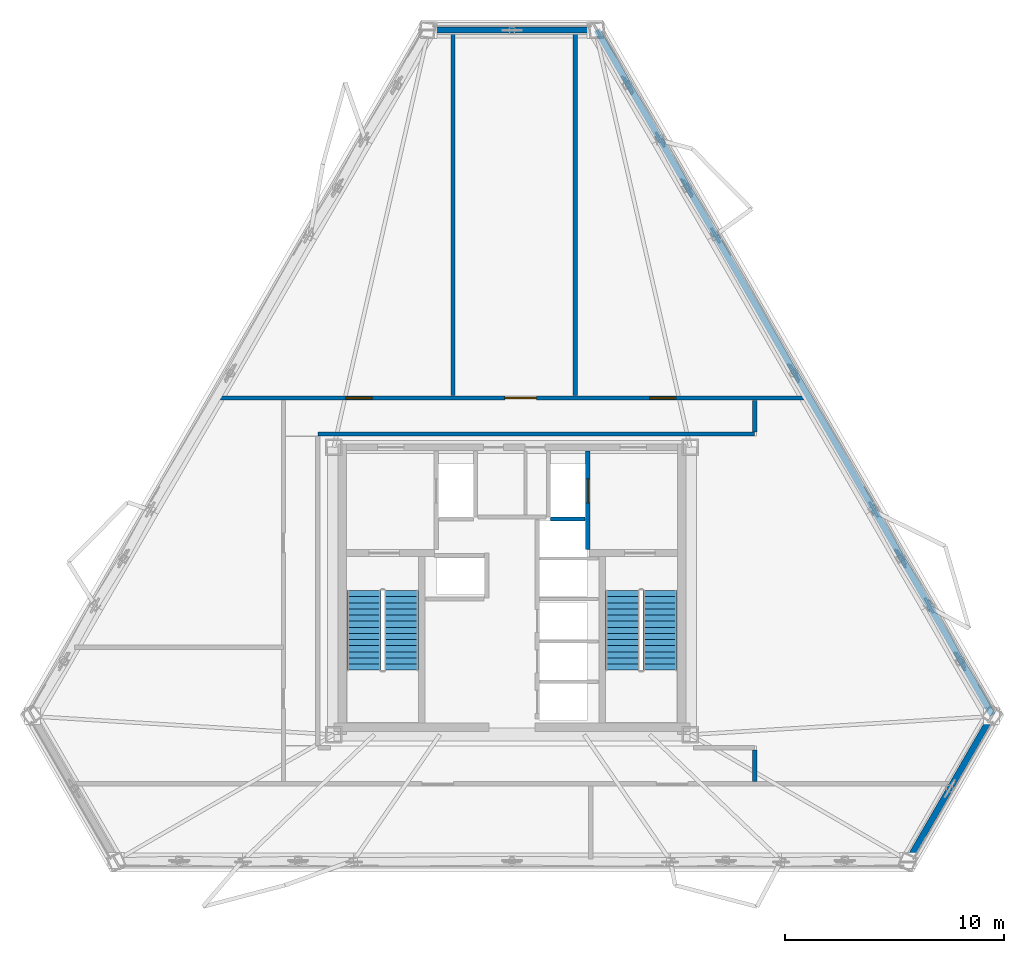
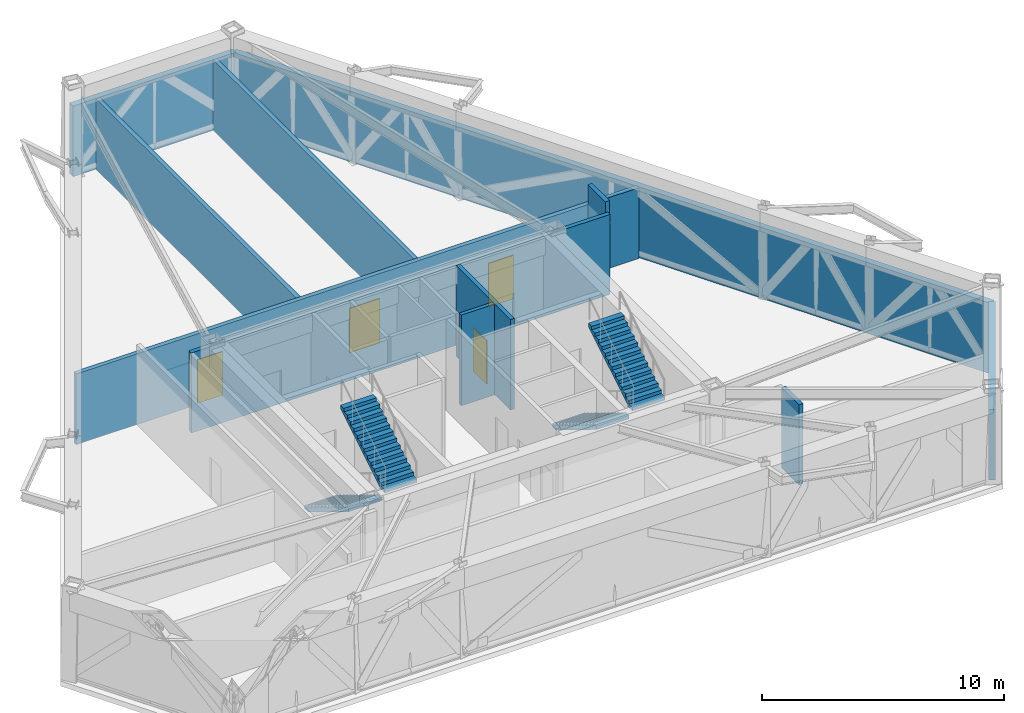
# One storey, part 7 of 10: 11 walls, 4 doors, 4 stair flights, 4 openings, 2 elements without a shape of their own.
"""IFC4 building model written with IfcOpenShell, lengths in metres."""

from ifc_helpers import new_model, si_unit, direction, frame, frame_2d, origin, place, context, subcontext, project, spatial, polyline, rectangle, outline, extrude, material, layer, layer_set, type_object, element, fill, aggregate, save


model = new_model("IFC4")

# Units and contexts
model_context = context("Model", 3, precision=1e-05, world=origin(), true_north=direction((0.0, 1.0)))
body_context = subcontext(model_context, "Body", "Model", "MODEL_VIEW")
ifc_project = project(units=[si_unit("LENGTHUNIT", "METRE"), si_unit("AREAUNIT", "SQUARE_METRE"), si_unit("VOLUMEUNIT", "CUBIC_METRE"), si_unit("PLANEANGLEUNIT", "RADIAN"), si_unit("MASSUNIT", "GRAM", prefix="KILO")], contexts=[model_context])

# Site, building, storey
site_placement = place(None, origin())
site = spatial("IfcSite", under=ifc_project, at=site_placement, CompositionType="ELEMENT")
building_placement = place(site_placement, origin())
building = spatial("IfcBuilding", under=site, at=building_placement, Name="Oramaril Tower", CompositionType="ELEMENT")
storey_placement = place(building_placement, frame((0.0, 0.0, 189.0)))
storey = spatial("IfcBuildingStorey", under=building, at=storey_placement, Name="L50", CompositionType="ELEMENT", Elevation=189.0)

# Walls
ifc_material_1 = material(Name="Warm Cream Limestone", Category="masonry")
ifc_layer_1 = layer(ifc_material_1, 0.2900390625)
ifc_layer_set_1 = layer_set([ifc_layer_1], Name="WT-EXT29")
wall_type_1 = type_object("IfcWallType", Name="WT-EXT29", PredefinedType="SOLIDWALL", material=ifc_layer_set_1)
wall_1_placement = place(storey_placement, frame((55.58740234375, 5.17138671875, 0.0), z_axis=(0.0, 0.0, 1.0), x_axis=(0.50001529993, 0.866016570186, 0.0)))
element("IfcWall", 1, at=wall_1_placement, inside=storey, type_object=wall_type_1, Name="L50 Tower Limestone Facade Wall 3M", PredefinedType="SOLIDWALL", context=body_context, shape_type="SweptSolid", body=[
    extrude(rectangle(XDim=7.769775390625, YDim=0.2900390625, at=frame_2d((3.884765625, 0.0))), origin(), (0.0, 0.0, 1.0), 3.570068359375),
])
wall_2_placement = place(storey_placement, frame((59.472412109375, 11.900146484375, 0.0), z_axis=(0.0, 0.0, 1.0), x_axis=(-0.500004232085, 0.866022960375, 0.0)))
element("IfcWall", 2, at=wall_2_placement, inside=storey, type_object=wall_type_1, Name="L50 Tower Limestone Facade Wall 4M", PredefinedType="SOLIDWALL", context=body_context, shape_type="SweptSolid", body=[
    extrude(rectangle(XDim=36.175048828125, YDim=0.2900390625, at=frame_2d((18.08740234375, 0.0))), origin(), (0.0, 0.0, 1.0), 3.570068359375),
])
wall_3_placement = place(storey_placement, frame((41.384765625, 43.228515625, 0.0), z_axis=(0.0, 0.0, 1.0), x_axis=(-1.0, 0.0, 0.0)))
element("IfcWall", 3, at=wall_3_placement, inside=storey, type_object=wall_type_1, Name="L50 Tower Limestone Facade Wall 5M", PredefinedType="SOLIDWALL", context=body_context, shape_type="SweptSolid", body=[
    extrude(rectangle(XDim=7.76953125, YDim=0.2900390625, at=frame_2d((3.884765625, 0.0))), origin(), (0.0, 0.0, 1.0), 3.570068359375),
])
ifc_material_2 = material(Name="Autoclaved Cellular Concrete Block", Category="concrete")
ifc_layer_2 = layer(ifc_material_2, 0.179931640625)
ifc_layer_set_2 = layer_set([ifc_layer_2], Name="WT-PT18")
wall_type_2 = type_object("IfcWallType", Name="WT-PT18", PredefinedType="PARTITIONING", material=ifc_layer_set_2)
wall_4_placement = place(storey_placement, frame((39.260009765625, 20.860107421875, 0.0), z_axis=(0.0, 0.0, 1.0), x_axis=(1.0, 0.0, 0.0)))
element("IfcWall", 4, at=wall_4_placement, inside=storey, type_object=wall_type_2, Name="L50 FL-2 South Shaft Wall", PredefinedType="PARTITIONING", context=body_context, shape_type="SweptSolid", body=[
    extrude(rectangle(XDim=1.580078125, YDim=0.179931640625, at=frame_2d((0.7900390625, 0.0))), origin(), (0.0, 0.0, 1.0), 4.580078125),
])
ifc_material_3 = material(Name="Autoclaved Cellular Concrete Block", Category="concrete")
ifc_layer_3 = layer(ifc_material_3, 0.199951171875)
ifc_layer_set_3 = layer_set([ifc_layer_3], Name="WT-PT20")
wall_type_3 = type_object("IfcWallType", Name="WT-PT20", PredefinedType="PARTITIONING", material=ifc_layer_set_3)
wall_5_placement = place(storey_placement, frame((28.6201171875, 24.75, 0.0), z_axis=(0.0, 0.0, 1.0), x_axis=(1.0, 0.0, 0.0)))
element("IfcWall", 5, at=wall_5_placement, inside=storey, type_object=wall_type_3, Name="L50 Interior Partition PT-20", PredefinedType="PARTITIONING", context=body_context, shape_type="SweptSolid", body=[
    extrude(rectangle(XDim=19.97998046875, YDim=0.199951171875, at=frame_2d((9.989990234375, 0.0))), origin(), (0.0, 0.0, 1.0), 4.0419921875),
])

# Wall, openings, doors
wall_6_placement = place(storey_placement, frame((24.0712890625, 26.39990234375, 0.0), z_axis=(0.0, 0.0, 1.0), x_axis=(1.0, 0.0, 0.0)))
wall_6 = element("IfcWall", 6, at=wall_6_placement, inside=storey, type_object=wall_type_3, Name="L50 Interior Partition PT-20", PredefinedType="PARTITIONING", context=body_context, shape_type="SweptSolid", body=[
    extrude(rectangle(XDim=26.857421875, YDim=0.199951171875, at=frame_2d((13.4287109375, 0.0))), origin(), (0.0, 0.0, 1.0), 3.570068359375),
])
opening_1_placement = place(wall_6_placement, frame((5.8349609375, 0.0, 0.0)))
opening_1 = element("IfcOpeningElement", 7, at=opening_1_placement, cuts=wall_6, Name="Opening D-L50-03", PredefinedType="OPENING", context=body_context, shape_type="SweptSolid", body=[
    extrude(rectangle(XDim=1.199951171875, YDim=2.199951171875, at=frame_2d((0.60009765625, 1.10009765625))), frame((0.0, 0.10009765625, 0.0), z_axis=(0.0, -1.0, 0.0), x_axis=(1.0, 0.0, 0.0)), (0.0, 0.0, 1.0), 0.199951171875),
])
opening_2_placement = place(wall_6_placement, frame((13.0986328125, 0.0, 0.0)))
opening_2 = element("IfcOpeningElement", 8, at=opening_2_placement, cuts=wall_6, Name="Opening D-L50-04", PredefinedType="OPENING", context=body_context, shape_type="SweptSolid", body=[
    extrude(rectangle(XDim=1.449951171875, YDim=2.25, at=frame_2d((0.72509765625, 1.125))), frame((0.0, 0.10009765625, 0.0), z_axis=(0.0, -1.0, 0.0), x_axis=(1.0, 0.0, 0.0)), (0.0, 0.0, 1.0), 0.199951171875),
])
opening_3_placement = place(wall_6_placement, frame((19.728515625, 0.0, 0.0)))
opening_3 = element("IfcOpeningElement", 9, at=opening_3_placement, cuts=wall_6, Name="Opening D-L50-05", PredefinedType="OPENING", context=body_context, shape_type="SweptSolid", body=[
    extrude(rectangle(XDim=1.199951171875, YDim=2.199951171875, at=frame_2d((0.60009765625, 1.10009765625))), frame((0.0, 0.10009765625, 0.0), z_axis=(0.0, -1.0, 0.0), x_axis=(1.0, 0.0, 0.0)), (0.0, 0.0, 1.0), 0.199951171875),
])
ifc_material_4 = material(Name="Painted Galvanised Steel", Category="steel")
door_type_1 = type_object("IfcDoorType", Name="DT-FFL", OperationType="NOTDEFINED", PredefinedType="DOOR", material=ifc_material_4)
door_1_placement = place(opening_1_placement, origin())
door_1 = element("IfcDoor", 10, at=door_1_placement, inside=storey, type_object=door_type_1, Name="L50 L50 West Refuge Area Door D-L50-03", OperationType="SINGLE_SWING_RIGHT", OverallHeight=2.199951171875, OverallWidth=1.199951171875, PredefinedType="DOOR", context=body_context, shape_type="SweptSolid", body=[
    extrude(rectangle(XDim=1.199951171875, YDim=2.199951171875, at=frame_2d((0.60009765625, 1.10009765625))), frame((0.0, 0.02490234375, 0.0), z_axis=(0.0, -1.0, 0.0), x_axis=(1.0, 0.0, 0.0)), (0.0, 0.0, 1.0), 0.050048828125),
])
fill(opening_1, door_1)
door_2_placement = place(opening_3_placement, origin())
door_2 = element("IfcDoor", 11, at=door_2_placement, inside=storey, type_object=door_type_1, Name="L50 L50 East Refuge Area Door D-L50-05", OperationType="SINGLE_SWING_RIGHT", OverallHeight=2.199951171875, OverallWidth=1.199951171875, PredefinedType="DOOR", context=body_context, shape_type="SweptSolid", body=[
    extrude(rectangle(XDim=1.199951171875, YDim=2.199951171875, at=frame_2d((0.60009765625, 1.10009765625))), frame((0.0, 0.02490234375, 0.0), z_axis=(0.0, -1.0, 0.0), x_axis=(1.0, 0.0, 0.0)), (0.0, 0.0, 1.0), 0.050048828125),
])
fill(opening_3, door_2)
ifc_material_5 = material(Name="Painted Galvanised Steel", Category="steel")
door_type_2 = type_object("IfcDoorType", Name="DT-PLT", OperationType="NOTDEFINED", PredefinedType="DOOR", material=ifc_material_5)
door_3_placement = place(opening_2_placement, origin())
door_3 = element("IfcDoor", 12, at=door_3_placement, inside=storey, type_object=door_type_2, Name="L50 L50 Stair Pressurisation Plant Room Door D-L50-04", OperationType="SINGLE_SWING_LEFT", OverallHeight=2.25, OverallWidth=1.449951171875, PredefinedType="DOOR", context=body_context, shape_type="SweptSolid", body=[
    extrude(rectangle(XDim=1.449951171875, YDim=2.25, at=frame_2d((0.72509765625, 1.125))), frame((0.0, 0.02490234375, 0.0), z_axis=(0.0, -1.0, 0.0), x_axis=(1.0, 0.0, 0.0)), (0.0, 0.0, 1.0), 0.050048828125),
])
fill(opening_2, door_3)

# Walls
for number, where, z_axis, x_axis, name in (
    (13, (34.800048828125, 26.50390625, 0.0), (0.0, 0.0, 1.0), (0.0, 1.0, 0.0), "L50 Interior Partition PT-20"),
    (14, (40.39990234375, 26.50390625, 0.0), (0.0, 0.0, 1.0), (0.0, 1.0, 0.0), "L50 Interior Partition PT-20"),
):
    element("IfcWall", number, at=place(storey_placement, frame(where, z_axis=z_axis, x_axis=x_axis)), inside=storey, type_object=wall_type_3, Name=name, PredefinedType="PARTITIONING", context=body_context, shape_type="SweptSolid", body=[
        extrude(rectangle(XDim=16.57568359375, YDim=0.199951171875, at=frame_2d((8.287841796875, 0.0))), origin(), (0.0, 0.0, 1.0), 3.570068359375),
    ])
wall_7_placement = place(storey_placement, frame((48.60009765625, 8.85400390625, 0.0), z_axis=(0.0, 0.0, 1.0), x_axis=(0.0, 1.0, 0.0)))
element("IfcWall", 15, at=wall_7_placement, inside=storey, type_object=wall_type_3, Name="L50 Interior Partition PT-20", PredefinedType="PARTITIONING", context=body_context, shape_type="SweptSolid", body=[
    extrude(rectangle(XDim=1.44189453125, YDim=0.199951171875, at=frame_2d((0.720947265625, 0.0))), origin(), (0.0, 0.0, 1.0), 4.0419921875),
])
wall_8_placement = place(storey_placement, frame((48.60009765625, 24.85400390625, 0.0), z_axis=(0.0, 0.0, 1.0), x_axis=(0.0, 1.0, 0.0)))
element("IfcWall", 16, at=wall_8_placement, inside=storey, type_object=wall_type_3, Name="L50 Interior Partition PT-20", PredefinedType="PARTITIONING", context=body_context, shape_type="SweptSolid", body=[
    extrude(rectangle(XDim=1.44189453125, YDim=0.199951171875, at=frame_2d((0.720947265625, 0.0))), origin(), (0.0, 0.0, 1.0), 4.580078125),
])

# Wall, opening, door
ifc_material_6 = material(Name="Autoclaved Cellular Concrete Block", Category="concrete")
ifc_layer_4 = layer(ifc_material_6, 0.199951171875)
ifc_layer_set_4 = layer_set([ifc_layer_4], Name="WT-SHF20")
wall_type_4 = type_object("IfcWallType", Name="WT-SHF20", PredefinedType="PARTITIONING", material=ifc_layer_set_4)
wall_9_placement = place(storey_placement, frame((40.9599609375, 19.47998046875, 0.0), z_axis=(0.0, 0.0, 1.0), x_axis=(0.0, 1.0, 0.0)))
wall_9 = element("IfcWall", 17, at=wall_9_placement, inside=storey, type_object=wall_type_4, Name="L50 FL-2 Lobby Shaft Wall", PredefinedType="PARTITIONING", context=body_context, shape_type="SweptSolid", body=[
    extrude(rectangle(XDim=4.5, YDim=0.199951171875, at=frame_2d((2.25, 0.0))), origin(), (0.0, 0.0, 1.0), 4.580078125),
])
opening_4_placement = place(wall_9_placement, frame((2.1201171875, 0.0, 0.0)))
opening_4 = element("IfcOpeningElement", 18, at=opening_4_placement, cuts=wall_9, Name="Opening LD-L50-FL-2", PredefinedType="OPENING", context=body_context, shape_type="SweptSolid", body=[
    extrude(rectangle(XDim=1.10009765625, YDim=2.199951171875, at=frame_2d((0.550048828125, 1.10009765625))), frame((0.0, 0.10009765625, 0.0), z_axis=(0.0, -1.0, 0.0), x_axis=(1.0, 0.0, 0.0)), (0.0, 0.0, 1.0), 0.199951171875),
])
ifc_material_7 = material(Name="Stainless Steel 316L", Category="steel")
door_type_3 = type_object("IfcDoorType", Name="DT-LD1", OperationType="NOTDEFINED", PredefinedType="DOOR", material=ifc_material_7)
door_4_placement = place(opening_4_placement, origin())
door_4 = element("IfcDoor", 19, at=door_4_placement, inside=storey, type_object=door_type_3, Name="L50 Lift FL-2 Sliding Landing Door", OperationType="SLIDING_TO_RIGHT", OverallHeight=2.199951171875, OverallWidth=1.10009765625, PredefinedType="DOOR", context=body_context, shape_type="SweptSolid", body=[
    extrude(rectangle(XDim=1.10009765625, YDim=2.199951171875, at=frame_2d((0.550048828125, 1.10009765625))), frame((0.0, 0.02490234375, 0.0), z_axis=(0.0, -1.0, 0.0), x_axis=(1.0, 0.0, 0.0)), (0.0, 0.0, 1.0), 0.050048828125),
])
fill(opening_4, door_4)

# Stair, stair flights
ifc_material_8 = material(Name="Concrete C50/60", Category="concrete")
stair_type = type_object("IfcStairType", Name="STT-DG-4800", PredefinedType="HALF_TURN_STAIR", material=ifc_material_8)
stair_1_placement = place(storey_placement, origin())
stair_1 = element("IfcStair", 20, at=stair_1_placement, inside=storey, type_object=stair_type, Name="L50 Protected PFP Exit Stair ST-1", PredefinedType="HALF_TURN_STAIR")
ifc_material_9 = material(Name="Concrete C50/60", Category="concrete")
stair_flight_type = type_object("IfcStairFlightType", Name="SFT-DG-4800", PredefinedType="STRAIGHT", material=ifc_material_9)
stair_flight_1_placement = place(storey_placement, frame((30.72998046875, 17.590087890625, 0.0), z_axis=(0.0, 0.0, 1.0), x_axis=(0.0, -1.0, 0.0)))
stair_flight_1 = element("IfcStairFlight", 21, at=stair_flight_1_placement, type_object=stair_flight_type, Name="ST-1 flight 1", NumberOfRisers=14, NumberOfTreads=13, PredefinedType="STRAIGHT", RiserHeight=0.171428571, TreadLength=0.28, context=body_context, shape_type="SweptSolid", body=[
    extrude(outline(polyline([(0.0, 0.0), (0.0, 0.17138671875), (0.280029296875, 0.17138671875), (0.280029296875, 0.3427734375), (0.56005859375, 0.3427734375), (0.56005859375, 0.514404296875), (0.840087890625, 0.514404296875), (0.840087890625, 0.685791015625), (1.1201171875, 0.685791015625), (1.1201171875, 0.857177734375), (1.39990234375, 0.857177734375), (1.39990234375, 1.028564453125), (1.679931640625, 1.028564453125), (1.679931640625, 1.199951171875), (1.9599609375, 1.199951171875), (1.9599609375, 1.371337890625), (2.239990234375, 1.371337890625), (2.239990234375, 1.54296875), (2.52001953125, 1.54296875), (2.52001953125, 1.71435546875), (2.800048828125, 1.71435546875), (2.800048828125, 1.8857421875), (3.080078125, 1.8857421875), (3.080078125, 2.05712890625), (3.360107421875, 2.05712890625), (3.360107421875, 2.228515625), (3.639892578125, 2.228515625), (3.639892578125, 2.39990234375), (3.639892578125, 2.052734375), (0.287109375, 0.0), (0.0, 0.0)])), frame((0.0, 0.780029296875, 0.0), z_axis=(0.0, -1.0, 0.0), x_axis=(1.0, 0.0, 0.0)), (0.0, 0.0, 1.0), 1.56005859375),
])
stair_flight_2_placement = place(storey_placement, frame((32.43994140625, 13.949951171875, 2.39990234375), z_axis=(0.0, 0.0, 1.0), x_axis=(0.0, 1.0, 0.0)))
stair_flight_2 = element("IfcStairFlight", 22, at=stair_flight_2_placement, type_object=stair_flight_type, Name="ST-1 flight 2", NumberOfRisers=14, NumberOfTreads=13, PredefinedType="STRAIGHT", RiserHeight=0.171428571, TreadLength=0.28, context=body_context, shape_type="SweptSolid", body=[
    extrude(outline(polyline([(0.0, 0.0), (0.0, 0.17138671875), (0.280029296875, 0.17138671875), (0.280029296875, 0.3427734375), (0.56005859375, 0.3427734375), (0.56005859375, 0.514404296875), (0.840087890625, 0.514404296875), (0.840087890625, 0.685791015625), (1.1201171875, 0.685791015625), (1.1201171875, 0.857177734375), (1.39990234375, 0.857177734375), (1.39990234375, 1.028564453125), (1.679931640625, 1.028564453125), (1.679931640625, 1.199951171875), (1.9599609375, 1.199951171875), (1.9599609375, 1.371337890625), (2.239990234375, 1.371337890625), (2.239990234375, 1.54296875), (2.52001953125, 1.54296875), (2.52001953125, 1.71435546875), (2.800048828125, 1.71435546875), (2.800048828125, 1.8857421875), (3.080078125, 1.8857421875), (3.080078125, 2.05712890625), (3.360107421875, 2.05712890625), (3.360107421875, 2.228515625), (3.639892578125, 2.228515625), (3.639892578125, 2.39990234375), (3.639892578125, 2.052734375), (0.287109375, 0.0), (0.0, 0.0)])), frame((0.0, 0.780029296875, 0.0), z_axis=(0.0, -1.0, 0.0), x_axis=(1.0, 0.0, 0.0)), (0.0, 0.0, 1.0), 1.56005859375),
])
aggregate(stair_1, [stair_flight_1, stair_flight_2])

stair_2_placement = place(storey_placement, origin())
stair_2 = element("IfcStair", 23, at=stair_2_placement, inside=storey, type_object=stair_type, Name="L50 Protected PFP Exit Stair ST-2", PredefinedType="HALF_TURN_STAIR")
stair_flight_3_placement = place(storey_placement, frame((42.56005859375, 17.590087890625, 0.0), z_axis=(0.0, 0.0, 1.0), x_axis=(0.0, -1.0, 0.0)))
stair_flight_3 = element("IfcStairFlight", 24, at=stair_flight_3_placement, type_object=stair_flight_type, Name="ST-2 flight 1", NumberOfRisers=14, NumberOfTreads=13, PredefinedType="STRAIGHT", RiserHeight=0.171428571, TreadLength=0.28, context=body_context, shape_type="SweptSolid", body=[
    extrude(outline(polyline([(0.0, 0.0), (0.0, 0.17138671875), (0.280029296875, 0.17138671875), (0.280029296875, 0.3427734375), (0.56005859375, 0.3427734375), (0.56005859375, 0.514404296875), (0.840087890625, 0.514404296875), (0.840087890625, 0.685791015625), (1.1201171875, 0.685791015625), (1.1201171875, 0.857177734375), (1.39990234375, 0.857177734375), (1.39990234375, 1.028564453125), (1.679931640625, 1.028564453125), (1.679931640625, 1.199951171875), (1.9599609375, 1.199951171875), (1.9599609375, 1.371337890625), (2.239990234375, 1.371337890625), (2.239990234375, 1.54296875), (2.52001953125, 1.54296875), (2.52001953125, 1.71435546875), (2.800048828125, 1.71435546875), (2.800048828125, 1.8857421875), (3.080078125, 1.8857421875), (3.080078125, 2.05712890625), (3.360107421875, 2.05712890625), (3.360107421875, 2.228515625), (3.639892578125, 2.228515625), (3.639892578125, 2.39990234375), (3.639892578125, 2.052734375), (0.287109375, 0.0), (0.0, 0.0)])), frame((0.0, 0.780029296875, 0.0), z_axis=(0.0, -1.0, 0.0), x_axis=(1.0, 0.0, 0.0)), (0.0, 0.0, 1.0), 1.56005859375),
])
stair_flight_4_placement = place(storey_placement, frame((44.27001953125, 13.949951171875, 2.39990234375), z_axis=(0.0, 0.0, 1.0), x_axis=(0.0, 1.0, 0.0)))
stair_flight_4 = element("IfcStairFlight", 25, at=stair_flight_4_placement, type_object=stair_flight_type, Name="ST-2 flight 2", NumberOfRisers=14, NumberOfTreads=13, PredefinedType="STRAIGHT", RiserHeight=0.171428571, TreadLength=0.28, context=body_context, shape_type="SweptSolid", body=[
    extrude(outline(polyline([(0.0, 0.0), (0.0, 0.17138671875), (0.280029296875, 0.17138671875), (0.280029296875, 0.3427734375), (0.56005859375, 0.3427734375), (0.56005859375, 0.514404296875), (0.840087890625, 0.514404296875), (0.840087890625, 0.685791015625), (1.1201171875, 0.685791015625), (1.1201171875, 0.857177734375), (1.39990234375, 0.857177734375), (1.39990234375, 1.028564453125), (1.679931640625, 1.028564453125), (1.679931640625, 1.199951171875), (1.9599609375, 1.199951171875), (1.9599609375, 1.371337890625), (2.239990234375, 1.371337890625), (2.239990234375, 1.54296875), (2.52001953125, 1.54296875), (2.52001953125, 1.71435546875), (2.800048828125, 1.71435546875), (2.800048828125, 1.8857421875), (3.080078125, 1.8857421875), (3.080078125, 2.05712890625), (3.360107421875, 2.05712890625), (3.360107421875, 2.228515625), (3.639892578125, 2.228515625), (3.639892578125, 2.39990234375), (3.639892578125, 2.052734375), (0.287109375, 0.0), (0.0, 0.0)])), frame((0.0, 0.780029296875, 0.0), z_axis=(0.0, -1.0, 0.0), x_axis=(1.0, 0.0, 0.0)), (0.0, 0.0, 1.0), 1.56005859375),
])
aggregate(stair_2, [stair_flight_3, stair_flight_4])

save(model, "model.ifc")
